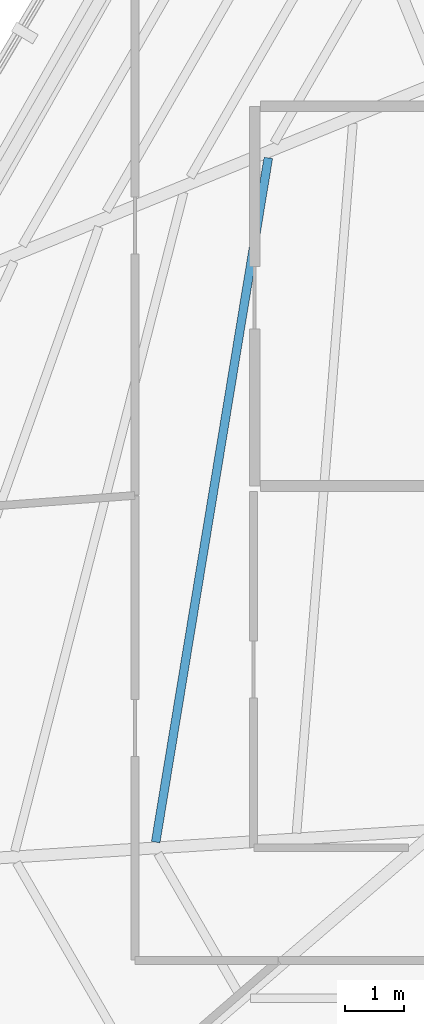
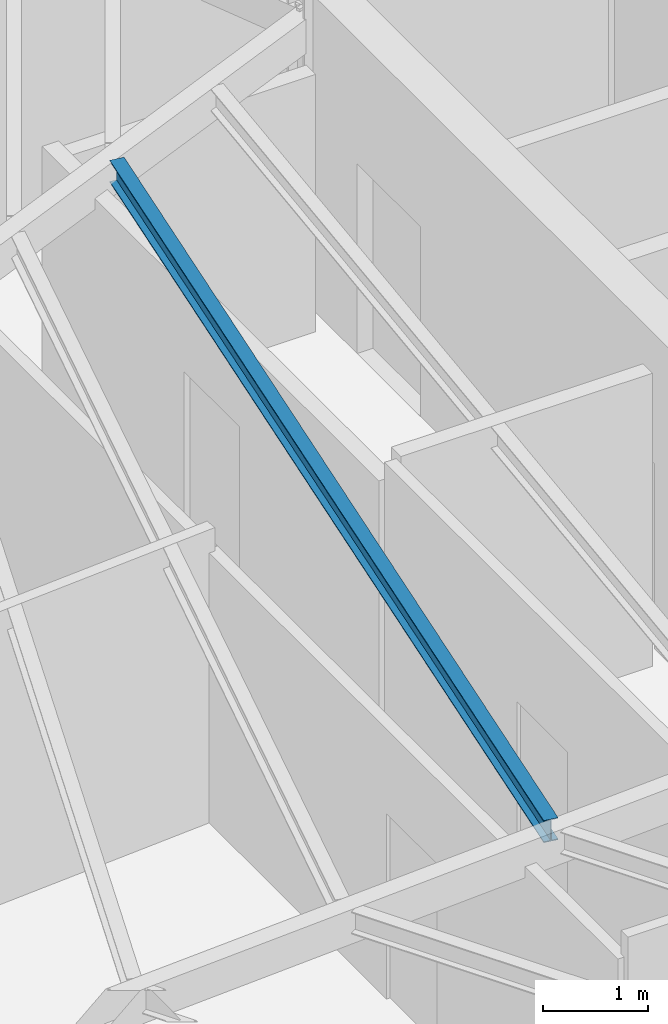
# One storey, part 17 of 47: 1 beam.
"""IFC4 building model written with IfcOpenShell, lengths in metres."""

from ifc_helpers import new_model, si_unit, direction, frame, origin, origin_2d, place, context, subcontext, project, spatial, i_section, extrude, source, transform, mapped, material, material_profile, profile_set, type_object, type_shapes, element, save


model = new_model("IFC4")

# Units and contexts
model_context = context("Model", 3, precision=1e-05, world=origin(), true_north=direction((0.0, 1.0)))
body_context = subcontext(model_context, "Body", "Model", "MODEL_VIEW")
ifc_project = project(units=[si_unit("LENGTHUNIT", "METRE"), si_unit("AREAUNIT", "SQUARE_METRE"), si_unit("VOLUMEUNIT", "CUBIC_METRE"), si_unit("PLANEANGLEUNIT", "RADIAN"), si_unit("MASSUNIT", "GRAM", prefix="KILO")], contexts=[model_context])

# Site, building, storey
site_placement = place(None, origin())
site = spatial("IfcSite", under=ifc_project, at=site_placement, CompositionType="ELEMENT")
building_placement = place(site_placement, origin())
building = spatial("IfcBuilding", under=site, at=building_placement, Name="Caelisora Broadcast Tower", CompositionType="ELEMENT")
storey_placement = place(building_placement, frame((0.0, 0.0, 229.85009765625)))
storey = spatial("IfcBuildingStorey", under=building, at=storey_placement, Name="L60", CompositionType="ELEMENT", Elevation=229.85009765625)

# Beam
ifc_material = material(Name="Steel Grade 350 (AS/NZS 3679.1)", Category="steel")
ifc_material_profile = material_profile(ifc_material, i_section(OverallWidth=0.14599609375, OverallDepth=0.256103515625, WebThickness=0.00634765625, FlangeThickness=0.010986328125, at=origin_2d()), Name="Steel Grade 350 (AS/NZS 3679.1)")
ifc_profile_set = profile_set([ifc_material_profile], Name="Steel Grade 350 (AS/NZS 3679.1)")
beam_type = type_object("IfcBeamType", Name="SB04", PredefinedType="JOIST", material=ifc_profile_set)
shared_shape = source(origin(), body_context, "Body", "SweptSolid", [
    extrude(i_section(OverallWidth=0.14599609375, OverallDepth=0.256103515625, WebThickness=0.00634765625, FlangeThickness=0.010986328125, at=origin_2d()), origin(), (0.0, 0.0, 1.0), 11.69384765625),
])
type_shapes(beam_type, [shared_shape])
beam_placement = place(storey_placement, frame((27.649169921875, 28.732666015625, 3.271728515625), z_axis=(-0.162407931873, -0.986723701785, 0.0), x_axis=(0.986723701785, -0.162407931873, 0.0)))
element("IfcBeam", 1, at=beam_placement, inside=storey, type_object=beam_type, Name="L60 beam SB04", PredefinedType="JOIST", context=body_context, shape_type="MappedRepresentation", body=[
    mapped(shared_shape, transform((0.0, 0.0, 0.0), scale=1.0)),
])

save(model, "model.ifc")
